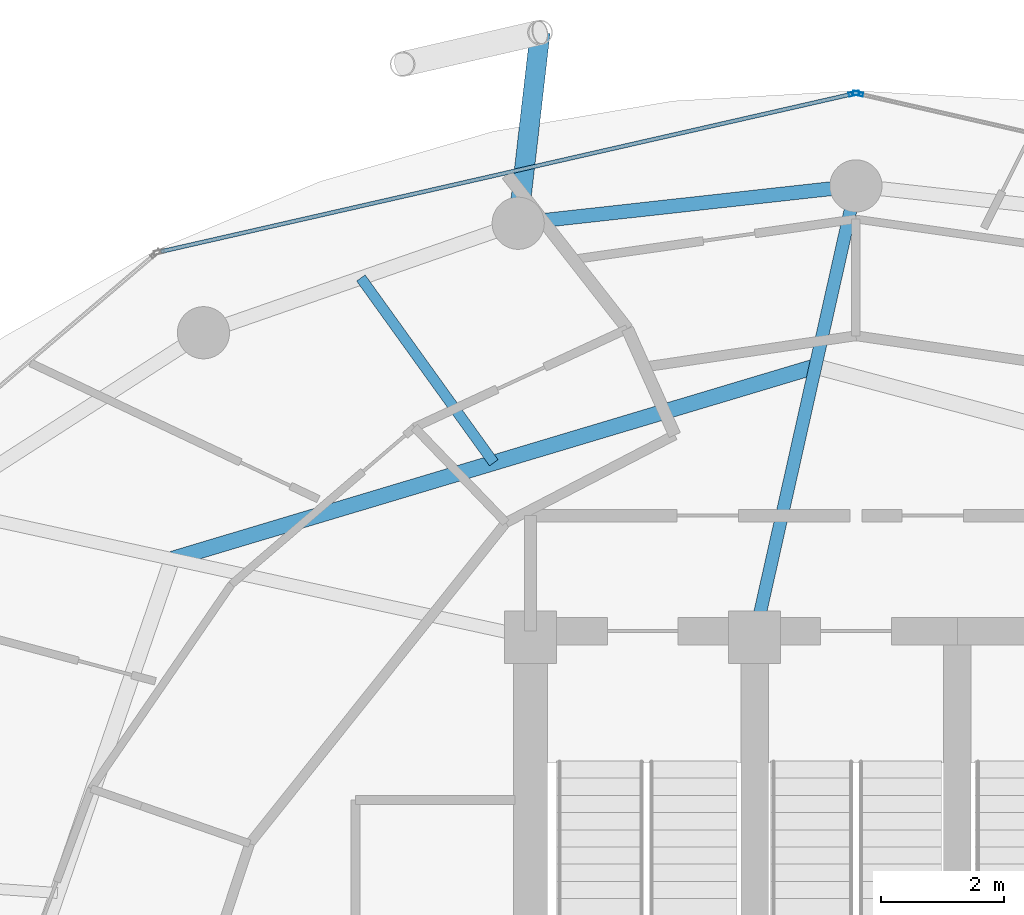
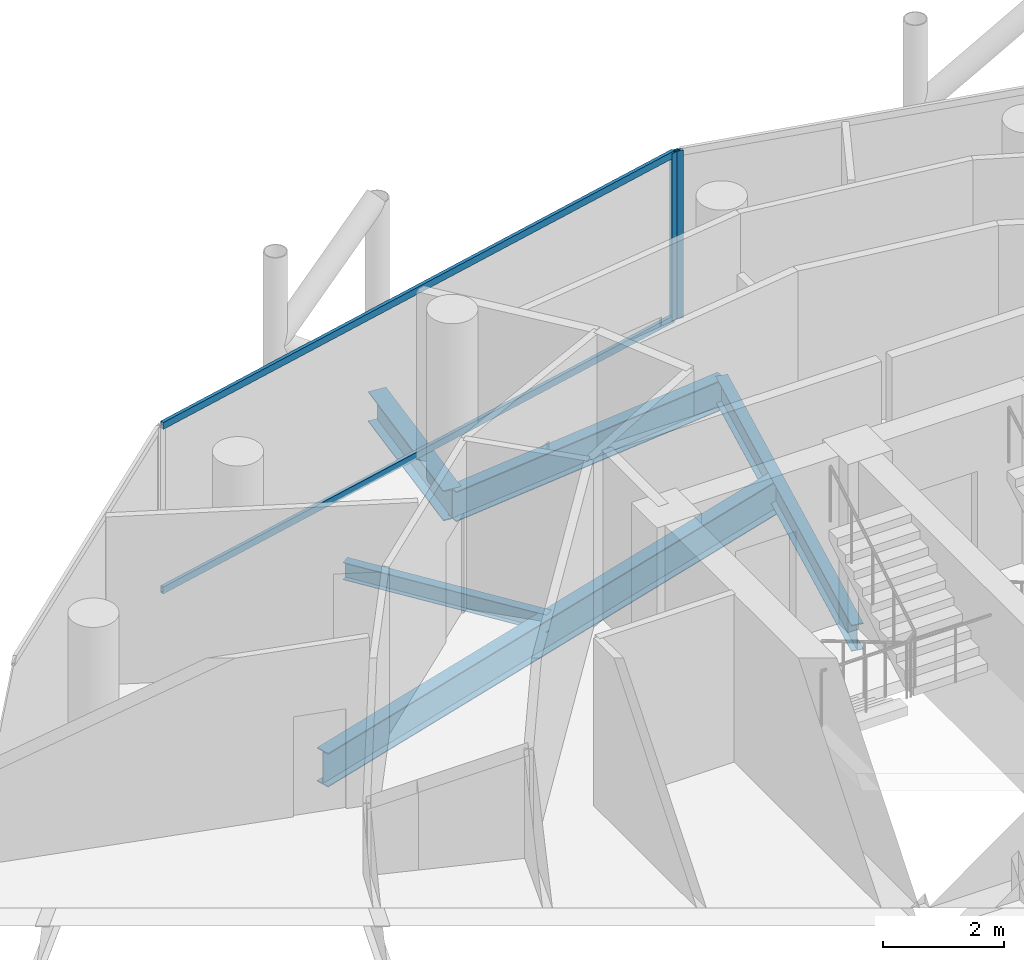
# One storey, part 19 of 27: 5 beams, 4 members, 2 elements without a shape of their own.
"""IFC4 building model written with IfcOpenShell, lengths in metres."""

from ifc_helpers import new_model, si_unit, direction, frame, origin, origin_2d, place, context, subcontext, project, spatial, hollow_rectangle, i_section, extrude, material, layer, layer_set, material_profile, profile_set, type_object, element, aggregate, save


model = new_model("IFC4")

# Units and contexts
model_context = context("Model", 3, precision=1e-05, world=origin(), true_north=direction((0.0, 1.0)))
body_context = subcontext(model_context, "Body", "Model", "MODEL_VIEW")
ifc_project = project(units=[si_unit("LENGTHUNIT", "METRE"), si_unit("AREAUNIT", "SQUARE_METRE"), si_unit("VOLUMEUNIT", "CUBIC_METRE"), si_unit("PLANEANGLEUNIT", "RADIAN"), si_unit("MASSUNIT", "GRAM", prefix="KILO")], contexts=[model_context])

# Site, building, storey
site_placement = place(None, origin())
site = spatial("IfcSite", under=ifc_project, at=site_placement, CompositionType="ELEMENT")
building_placement = place(site_placement, origin())
building = spatial("IfcBuilding", under=site, at=building_placement, Name="Nuhasar Tower", CompositionType="ELEMENT")
storey_placement = place(building_placement, frame((0.0, 0.0, 251.949951171875)))
storey = spatial("IfcBuildingStorey", under=building, at=storey_placement, Name="L62", CompositionType="ELEMENT", Elevation=251.949951171875)

# Beams
ifc_material_1 = material(Name="Steel S355", Category="steel")
ifc_material_profile_1 = material_profile(ifc_material_1, i_section(OverallWidth=0.25390625, OverallDepth=0.68408203125, WebThickness=0.012451171875, FlangeThickness=0.018798828125, at=origin_2d()), Name="W27X94")
ifc_profile_set_1 = profile_set([ifc_material_profile_1], Name="Steel S355")
beam_type_1 = type_object("IfcBeamType", Name="BM-INRING-W27X94", PredefinedType="BEAM", material=ifc_profile_set_1)
beam_1_placement = place(storey_placement, frame((38.340087890625, 41.7099609375, -0.58203125), z_axis=(-0.957973628187, -0.28685628405, 0.0), x_axis=(0.28685628405, -0.957973628187, 0.0)))
element("IfcBeam", 1, at=beam_1_placement, inside=storey, type_object=beam_type_1, Name="L62 Inner Header Beam 06", PredefinedType="BEAM", context=body_context, shape_type="SweptSolid", body=[
    extrude(i_section(OverallWidth=0.25390625, OverallDepth=0.68408203125, WebThickness=0.012451171875, FlangeThickness=0.018798828125, at=origin_2d()), origin(), (0.0, 0.0, 1.0), 10.935546875),
])
ifc_material_profile_2 = material_profile(ifc_material_1, i_section(OverallWidth=0.1708984375, OverallDepth=0.35205078125, WebThickness=0.0068359375, FlangeThickness=0.009765625, at=origin_2d()), Name="W14X30")
ifc_profile_set_2 = profile_set([ifc_material_profile_2], Name="Steel S355")
beam_type_2 = type_object("IfcBeamType", Name="BM-JST-W14X30", PredefinedType="JOIST", material=ifc_profile_set_2)
beam_2_placement = place(storey_placement, frame((33.10205078125, 40.14208984375, -0.416015625), z_axis=(-0.58390205555, 0.811824112431, 0.0), x_axis=(-0.811824112431, -0.58390205555, 0.0)))
element("IfcBeam", 2, at=beam_2_placement, inside=storey, type_object=beam_type_2, Name="L62 Secondary Floor Joist 06", PredefinedType="JOIST", context=body_context, shape_type="SweptSolid", body=[
    extrude(i_section(OverallWidth=0.1708984375, OverallDepth=0.35205078125, WebThickness=0.0068359375, FlangeThickness=0.009765625, at=origin_2d()), origin(), (0.0, 0.0, 1.0), 3.706298828125),
])
ifc_material_profile_3 = material_profile(ifc_material_1, i_section(OverallWidth=0.208984375, OverallDepth=0.528076171875, WebThickness=0.009521484375, FlangeThickness=0.01318359375, at=origin_2d()), Name="W21X55")
ifc_profile_set_3 = profile_set([ifc_material_profile_3], Name="Steel S355")
beam_type_3 = type_object("IfcBeamType", Name="BM-RAD-W21X55", PredefinedType="BEAM", material=ifc_profile_set_3)
beam_3_placement = place(storey_placement, frame((37.35009765625, 37.300048828125, -0.50390625), z_axis=(0.219030156142, 0.975718089768, 0.0), x_axis=(-0.975718089768, 0.219030156142, 0.0)))
element("IfcBeam", 3, at=beam_3_placement, inside=storey, type_object=beam_type_3, Name="L62 Radial Floor Girder 06", PredefinedType="BEAM", context=body_context, shape_type="SweptSolid", body=[
    extrude(i_section(OverallWidth=0.208984375, OverallDepth=0.528076171875, WebThickness=0.009521484375, FlangeThickness=0.01318359375, at=origin_2d()), origin(), (0.0, 0.0, 1.0), 7.53271484375),
])
ifc_material_profile_4 = material_profile(ifc_material_1, i_section(OverallWidth=0.22802734375, OverallDepth=0.60791015625, WebThickness=0.01123046875, FlangeThickness=0.017333984375, at=origin_2d()), Name="W24X76")
ifc_profile_set_4 = profile_set([ifc_material_profile_4], Name="Steel S355")
beam_type_4 = type_object("IfcBeamType", Name="BM-RING-W24X76", PredefinedType="SPANDREL", material=ifc_profile_set_4)
beam_4_placement = place(storey_placement, frame((39.0, 44.64990234375, -0.5439453125), z_axis=(-0.993947060915, -0.109860093292, 0.0), x_axis=(0.109860093292, -0.993947060915, 0.0)))
element("IfcBeam", 4, at=beam_4_placement, inside=storey, type_object=beam_type_4, Name="L62 Perimeter Ring Spandrel 07", PredefinedType="SPANDREL", context=body_context, shape_type="SweptSolid", body=[
    extrude(i_section(OverallWidth=0.22802734375, OverallDepth=0.60791015625, WebThickness=0.01123046875, FlangeThickness=0.017333984375, at=origin_2d()), origin(), (0.0, 0.0, 1.0), 5.533447265625),
])
ifc_material_profile_5 = material_profile(ifc_material_1, i_section(OverallWidth=0.323974609375, OverallDepth=0.611083984375, WebThickness=0.0126953125, FlangeThickness=0.01904296875, at=origin_2d()), Name="W24X104")
ifc_profile_set_5 = profile_set([ifc_material_profile_5], Name="Steel S355")
beam_type_5 = type_object("IfcBeamType", Name="BM-TIE-W24X104", PredefinedType="BEAM", material=ifc_profile_set_5)
beam_5_placement = place(storey_placement, frame((33.5, 44.0419921875, -0.544921875), z_axis=(0.114132222314, 0.993465568517, 0.0), x_axis=(-0.993465568517, 0.114132222314, 0.0)))
element("IfcBeam", 5, at=beam_5_placement, inside=storey, type_object=beam_type_5, Name="L62 Exoskeleton Node Tie Beam 04", PredefinedType="BEAM", context=body_context, shape_type="SweptSolid", body=[
    extrude(i_section(OverallWidth=0.323974609375, OverallDepth=0.611083984375, WebThickness=0.0126953125, FlangeThickness=0.01904296875, at=origin_2d()), origin(), (0.0, 0.0, 1.0), 3.12744140625),
])

# Curtain wall, member
ifc_material_2 = material(Name="Aluminium 6063-T6", Category="aluminium")
ifc_layer = layer(ifc_material_2, 0.18994140625)
ifc_layer_set = layer_set([ifc_layer], Name="Aluminium 6063-T6")
curtain_wall_type = type_object("IfcCurtainWallType", Name="CW-Z3-RES", PredefinedType="NOTDEFINED", material=ifc_layer_set)
curtain_wall_1_placement = place(storey_placement, origin())
curtain_wall_1 = element("IfcCurtainWall", 6, at=curtain_wall_1_placement, inside=storey, type_object=curtain_wall_type, Name="L62 Unitised Curtain Wall 03", PredefinedType="NOTDEFINED")
ifc_material_profile_6 = material_profile(ifc_material_2, hollow_rectangle(XDim=0.06494140625, YDim=0.169921875, WallThickness=0.0048828125, at=origin_2d()), Name="CWM-4")
ifc_profile_set_6 = profile_set([ifc_material_profile_6], Name="Aluminium 6063-T6")
member_type_1 = type_object("IfcMemberType", Name="CW-MUL-S4", PredefinedType="MULLION", material=ifc_profile_set_6)
member_1_placement = place(storey_placement, frame((39.03173828125, 46.15283203125, 0.0), z_axis=(0.0, 0.0, 1.0), x_axis=(-0.222243176313, -0.974991266926, 0.0)))
member_1 = element("IfcMember", 7, at=member_1_placement, type_object=member_type_1, Name="CW-Z3 mullion 2", PredefinedType="MULLION", context=body_context, shape_type="SweptSolid", body=[
    extrude(hollow_rectangle(XDim=0.06494140625, YDim=0.169921875, WallThickness=0.0048828125, at=origin_2d()), origin(), (0.0, 0.0, 1.0), 3.39013671875),
])
aggregate(curtain_wall_1, [member_1])

# Curtain wall, members
curtain_wall_2_placement = place(storey_placement, origin())
curtain_wall_2 = element("IfcCurtainWall", 8, at=curtain_wall_2_placement, inside=storey, type_object=curtain_wall_type, Name="L62 Unitised Curtain Wall 04", PredefinedType="NOTDEFINED")
member_2_placement = place(storey_placement, frame((38.96826171875, 46.15283203125, 0.0), z_axis=(0.0, 0.0, 1.0), x_axis=(0.222243176313, -0.974991266926, 0.0)))
member_2 = element("IfcMember", 9, at=member_2_placement, type_object=member_type_1, Name="CW-Z3 mullion 1", PredefinedType="MULLION", context=body_context, shape_type="SweptSolid", body=[
    extrude(hollow_rectangle(XDim=0.06494140625, YDim=0.169921875, WallThickness=0.0048828125, at=origin_2d()), origin(), (0.0, 0.0, 1.0), 3.39013671875),
])
ifc_material_profile_7 = material_profile(ifc_material_2, hollow_rectangle(XDim=0.06494140625, YDim=0.139892578125, WallThickness=0.00439453125, at=origin_2d()), Name="CWT-4")
ifc_profile_set_7 = profile_set([ifc_material_profile_7], Name="Aluminium 6063-T6")
member_type_2 = type_object("IfcMemberType", Name="CW-TRN-S4", PredefinedType="USERDEFINED", material=ifc_profile_set_7)
member_3_placement = place(storey_placement, frame((38.9365234375, 46.1455078125, 0.032470703125), z_axis=(-0.974994070913, -0.222230874732, 0.0), x_axis=(0.222230874732, -0.974994070913, 0.0)))
member_3 = element("IfcMember", 10, at=member_3_placement, type_object=member_type_2, Name="CW-Z3 transom 1.1", ObjectType="TRANSOM", PredefinedType="USERDEFINED", context=body_context, shape_type="SweptSolid", body=[
    extrude(hollow_rectangle(XDim=0.06494140625, YDim=0.139892578125, WallThickness=0.00439453125, at=origin_2d()), origin(), (0.0, 0.0, 1.0), 11.541748046875),
])
member_4_placement = place(storey_placement, frame((38.9365234375, 46.1455078125, 3.357666015625), z_axis=(-0.974994070913, -0.222230874732, 0.0), x_axis=(0.222230874732, -0.974994070913, 0.0)))
member_4 = element("IfcMember", 11, at=member_4_placement, type_object=member_type_2, Name="CW-Z3 transom 1.2", ObjectType="TRANSOM", PredefinedType="USERDEFINED", context=body_context, shape_type="SweptSolid", body=[
    extrude(hollow_rectangle(XDim=0.06494140625, YDim=0.139892578125, WallThickness=0.00439453125, at=origin_2d()), origin(), (0.0, 0.0, 1.0), 11.541748046875),
])
aggregate(curtain_wall_2, [member_2, member_3, member_4])

save(model, "model.ifc")
